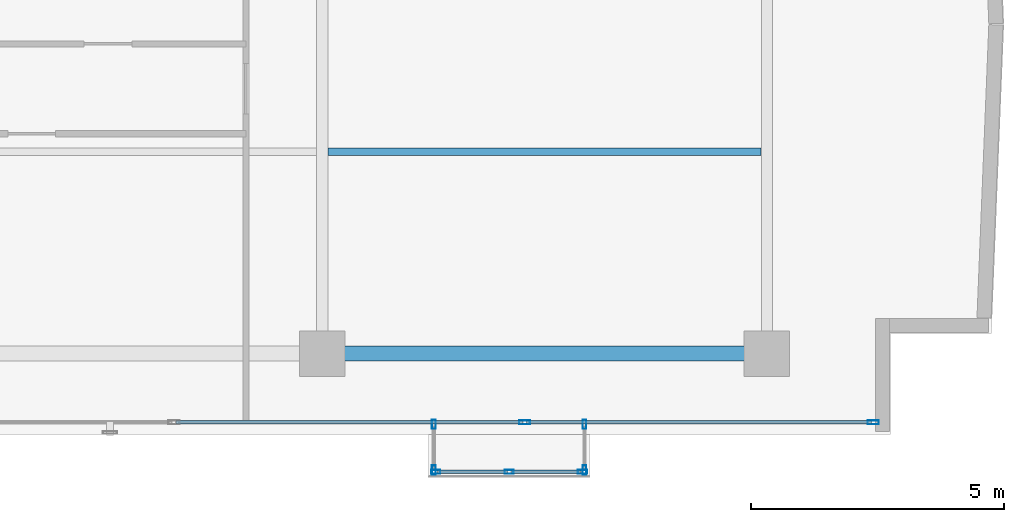
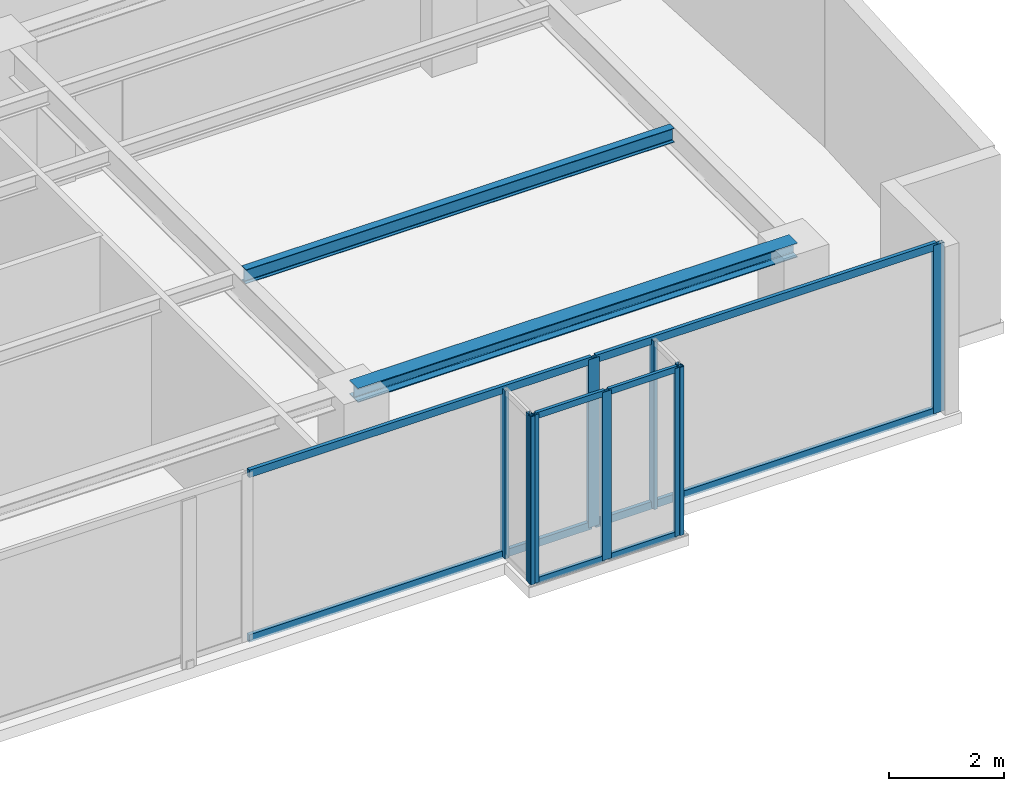
# One storey, part 10 of 23: 17 members, 2 beams, 4 elements without a shape of their own.
"""IFC4 building model written with IfcOpenShell, lengths in metres."""

from ifc_helpers import new_model, si_unit, direction, frame, origin, origin_with_axes, origin_2d, place, context, subcontext, project, spatial, hollow_rectangle, i_section, extrude, source, transform, mapped, material, layer, layer_set, material_profile, profile_set, type_object, element, aggregate, save


model = new_model("IFC4")

# Units and contexts
model_context = context("Model", 3, precision=1e-05, world=origin(), true_north=direction((0.0, 1.0)))
body_context = subcontext(model_context, "Body", "Model", "MODEL_VIEW")
ifc_project = project(units=[si_unit("LENGTHUNIT", "METRE"), si_unit("AREAUNIT", "SQUARE_METRE"), si_unit("VOLUMEUNIT", "CUBIC_METRE"), si_unit("PLANEANGLEUNIT", "RADIAN"), si_unit("MASSUNIT", "GRAM", prefix="KILO")], contexts=[model_context])

# Site, building, storey
site_placement = place(None, origin())
site = spatial("IfcSite", under=ifc_project, at=site_placement, CompositionType="ELEMENT")
building_placement = place(site_placement, origin())
building = spatial("IfcBuilding", under=site, at=building_placement, Name="Kolvaren Waterfront Exchange", CompositionType="ELEMENT")
storey_placement = place(building_placement, frame((0.0, 0.0, 319.800048828125)))
storey = spatial("IfcBuildingStorey", under=building, at=storey_placement, Name="L82", CompositionType="ELEMENT", Elevation=319.800048828125)

# Beams
ifc_material_1 = material(Name="Steel S355", Category="steel")
ifc_material_profile_1 = material_profile(ifc_material_1, i_section(OverallWidth=0.300048828125, OverallDepth=0.300048828125, WebThickness=0.010986328125, FlangeThickness=0.01904296875, FilletRadius=0.027099609375, at=origin_2d()), Name="HEB300")
ifc_profile_set_1 = profile_set([ifc_material_profile_1], Name="Steel S355")
beam_type_1 = type_object("IfcBeamType", Name="STR-BM-HEB300", PredefinedType="SPANDREL", material=ifc_profile_set_1)
beam_1_placement = place(storey_placement, frame((36.800048828125, 5.199951171875, 3.409912109375), z_axis=(1.0, 0.0, 0.0), x_axis=(0.0, 1.0, 0.0)))
element("IfcBeam", 1, at=beam_1_placement, inside=storey, type_object=beam_type_1, Name="L82 east-arm spandrel S3", PredefinedType="SPANDREL", context=body_context, shape_type="SweptSolid", body=[
    extrude(i_section(OverallWidth=0.300048828125, OverallDepth=0.300048828125, WebThickness=0.010986328125, FlangeThickness=0.01904296875, FilletRadius=0.027099609375, at=origin_2d()), origin(), (0.0, 0.0, 1.0), 8.800048828125),
])
ifc_material_profile_2 = material_profile(ifc_material_1, i_section(OverallWidth=0.14990234375, OverallDepth=0.300048828125, WebThickness=0.007080078125, FlangeThickness=0.0107421875, FilletRadius=0.014892578125, at=origin_2d()), Name="IPE300")
ifc_profile_set_2 = profile_set([ifc_material_profile_2], Name="Steel S355")
beam_type_2 = type_object("IfcBeamType", Name="STR-BM-IPE300", PredefinedType="JOIST", material=ifc_profile_set_2)
beam_2_placement = place(storey_placement, frame((36.912109375, 9.199951171875, 3.409912109375), z_axis=(1.0, 0.0, 0.0), x_axis=(0.0, 1.0, 0.0)))
element("IfcBeam", 2, at=beam_2_placement, inside=storey, type_object=beam_type_2, Name="L82 east-arm composite joist 3B", PredefinedType="JOIST", context=body_context, shape_type="SweptSolid", body=[
    extrude(i_section(OverallWidth=0.14990234375, OverallDepth=0.300048828125, WebThickness=0.007080078125, FlangeThickness=0.0107421875, FilletRadius=0.014892578125, at=origin_2d()), origin(), (0.0, 0.0, 1.0), 8.575927734375),
])

# Curtain wall, members
ifc_material_2 = material(Name="Anodised bronze aluminium 6063-T6", Category="aluminium")
ifc_layer_1 = layer(ifc_material_2, 0.219970703125, Name="Anodised bronze aluminium 6063-T6")
ifc_layer_set_1 = layer_set([ifc_layer_1], Name="Anodised bronze aluminium 6063-T6")
curtain_wall_type_1 = type_object("IfcCurtainWallType", Name="ARC-CW-SYS3", PredefinedType="USERDEFINED", material=ifc_layer_set_1)
curtain_wall_1_placement = place(storey_placement, origin())
curtain_wall_1 = element("IfcCurtainWall", 3, at=curtain_wall_1_placement, inside=storey, type_object=curtain_wall_type_1, Name="L82 stick curtain wall CW3 (CW-L82-BOX)", ObjectType="STICK CURTAIN WALL", PredefinedType="USERDEFINED")
ifc_material_profile_3 = material_profile(ifc_material_2, hollow_rectangle(XDim=0.06494140625, YDim=0.1298828125, WallThickness=0.00390625, at=origin_2d()), Name="ALU-TRN-130x65x4")
ifc_profile_set_3 = profile_set([ifc_material_profile_3], Name="Anodised bronze aluminium 6063-T6")
member_type_1 = type_object("IfcMemberType", Name="ARC-CWT-130", PredefinedType="USERDEFINED", material=ifc_profile_set_3)
shared_shape_1 = source(origin_with_axes(), body_context, "Body", "SweptSolid", [
    extrude(hollow_rectangle(XDim=0.06494140625, YDim=0.1298828125, WallThickness=0.00390625, at=origin_2d()), origin(), (0.0, 0.0, 1.0), 1.37744140625),
])
member_1_placement = place(storey_placement, frame((39.0849609375, 2.860107421875, 0.032470703125), z_axis=(1.0, 0.0, 0.0), x_axis=(0.0, 1.0, 0.0)))
member_1 = element("IfcMember", 4, at=member_1_placement, type_object=member_type_1, Name="CW3 transom 1.1", ObjectType="TRANSOM", PredefinedType="USERDEFINED", context=body_context, shape_type="MappedRepresentation", body=[
    mapped(shared_shape_1, transform((0.0, 0.0, 0.0), x_axis=(1.0, 0.0, 0.0), y_axis=(0.0, 1.0, 0.0), z_axis=(0.0, 0.0, 1.0), scale=1.0)),
])
member_2_placement = place(storey_placement, frame((39.0849609375, 2.860107421875, 3.52734375), z_axis=(1.0, 0.0, 0.0), x_axis=(0.0, 1.0, 0.0)))
member_2 = element("IfcMember", 5, at=member_2_placement, type_object=member_type_1, Name="CW3 transom 1.2", ObjectType="TRANSOM", PredefinedType="USERDEFINED", context=body_context, shape_type="MappedRepresentation", body=[
    mapped(shared_shape_1, transform((0.0, 0.0, 0.0), x_axis=(1.0, 0.0, 0.0), y_axis=(0.0, 1.0, 0.0), z_axis=(0.0, 0.0, 1.0), scale=1.0)),
])
member_3_placement = place(storey_placement, frame((40.53759765625, 2.860107421875, 0.032470703125), z_axis=(1.0, 0.0, 0.0), x_axis=(0.0, 1.0, 0.0)))
member_3 = element("IfcMember", 6, at=member_3_placement, type_object=member_type_1, Name="CW3 transom 2.1", ObjectType="TRANSOM", PredefinedType="USERDEFINED", context=body_context, shape_type="MappedRepresentation", body=[
    mapped(shared_shape_1, transform((0.0, 0.0, 0.0), x_axis=(1.0, 0.0, 0.0), y_axis=(0.0, 1.0, 0.0), z_axis=(0.0, 0.0, 1.0), scale=1.0)),
])
member_4_placement = place(storey_placement, frame((40.53759765625, 2.860107421875, 3.52734375), z_axis=(1.0, 0.0, 0.0), x_axis=(0.0, 1.0, 0.0)))
member_4 = element("IfcMember", 7, at=member_4_placement, type_object=member_type_1, Name="CW3 transom 2.2", ObjectType="TRANSOM", PredefinedType="USERDEFINED", context=body_context, shape_type="MappedRepresentation", body=[
    mapped(shared_shape_1, transform((0.0, 0.0, 0.0), x_axis=(1.0, 0.0, 0.0), y_axis=(0.0, 1.0, 0.0), z_axis=(0.0, 0.0, 1.0), scale=1.0)),
])

curtain_wall_2_placement = place(storey_placement, origin())
curtain_wall_2 = element("IfcCurtainWall", 8, at=curtain_wall_2_placement, inside=storey, type_object=curtain_wall_type_1, Name="L82 stick curtain wall CW3 (CW-L82-BOX-W)", ObjectType="STICK CURTAIN WALL", PredefinedType="USERDEFINED")
ifc_material_profile_4 = material_profile(ifc_material_2, hollow_rectangle(XDim=0.074951171875, YDim=0.179931640625, WallThickness=0.00439453125, at=origin_2d()), Name="ALU-MUL-180x75x4.5")
ifc_profile_set_4 = profile_set([ifc_material_profile_4], Name="Anodised bronze aluminium 6063-T6")
member_type_2 = type_object("IfcMemberType", Name="ARC-CWM-180", PredefinedType="MULLION", material=ifc_profile_set_4)
shared_shape_2 = source(origin_with_axes(), body_context, "Body", "SweptSolid", [
    extrude(hollow_rectangle(XDim=0.074951171875, YDim=0.179931640625, WallThickness=0.00439453125, at=origin_2d()), origin(), (0.0, 0.0, 1.0), 3.56005859375),
])
member_5_placement = place(storey_placement, frame((39.010009765625, 3.802490234375, 0.0), z_axis=(0.0, 0.0, 1.0), x_axis=(1.0, 0.0, 0.0)))
member_5 = element("IfcMember", 9, at=member_5_placement, type_object=member_type_2, Name="CW3 mullion 1", PredefinedType="MULLION", context=body_context, shape_type="MappedRepresentation", body=[
    mapped(shared_shape_2, transform((0.0, 0.0, 0.0), x_axis=(1.0, 0.0, 0.0), y_axis=(0.0, 1.0, 0.0), z_axis=(0.0, 0.0, 1.0), scale=1.0)),
])
member_6_placement = place(storey_placement, frame((39.010009765625, 2.8974609375, 0.0), z_axis=(0.0, 0.0, 1.0), x_axis=(1.0, 0.0, 0.0)))
member_6 = element("IfcMember", 10, at=member_6_placement, type_object=member_type_2, Name="CW3 mullion 2", PredefinedType="MULLION", context=body_context, shape_type="MappedRepresentation", body=[
    mapped(shared_shape_2, transform((0.0, 0.0, 0.0), x_axis=(1.0, 0.0, 0.0), y_axis=(0.0, 1.0, 0.0), z_axis=(0.0, 0.0, 1.0), scale=1.0)),
])
aggregate(curtain_wall_2, [member_5, member_6])

# Member
member_7_placement = place(storey_placement, frame((39.047607421875, 2.860107421875, 0.0), z_axis=(0.0, 0.0, 1.0), x_axis=(0.0, 1.0, 0.0)))
member_7 = element("IfcMember", 11, at=member_7_placement, type_object=member_type_2, Name="CW3 mullion 1", PredefinedType="MULLION", context=body_context, shape_type="MappedRepresentation", body=[
    mapped(shared_shape_2, transform((0.0, 0.0, 0.0), x_axis=(1.0, 0.0, 0.0), y_axis=(0.0, 1.0, 0.0), z_axis=(0.0, 0.0, 1.0), scale=1.0)),
])

member_8_placement = place(storey_placement, frame((40.5, 2.860107421875, 0.0), z_axis=(0.0, 0.0, 1.0), x_axis=(0.0, 1.0, 0.0)))
member_8 = element("IfcMember", 12, at=member_8_placement, type_object=member_type_2, Name="CW3 mullion 2", PredefinedType="MULLION", context=body_context, shape_type="MappedRepresentation", body=[
    mapped(shared_shape_2, transform((0.0, 0.0, 0.0), x_axis=(1.0, 0.0, 0.0), y_axis=(0.0, 1.0, 0.0), z_axis=(0.0, 0.0, 1.0), scale=1.0)),
])

member_9_placement = place(storey_placement, frame((41.952392578125, 2.860107421875, 0.0), z_axis=(0.0, 0.0, 1.0), x_axis=(0.0, 1.0, 0.0)))
member_9 = element("IfcMember", 13, at=member_9_placement, type_object=member_type_2, Name="CW3 mullion 3", PredefinedType="MULLION", context=body_context, shape_type="MappedRepresentation", body=[
    mapped(shared_shape_2, transform((0.0, 0.0, 0.0), x_axis=(1.0, 0.0, 0.0), y_axis=(0.0, 1.0, 0.0), z_axis=(0.0, 0.0, 1.0), scale=1.0)),
])

aggregate(curtain_wall_1, [member_7, member_8, member_9, member_1, member_2, member_3, member_4])

# Curtain wall, members
curtain_wall_3_placement = place(storey_placement, origin())
curtain_wall_3 = element("IfcCurtainWall", 14, at=curtain_wall_3_placement, inside=storey, type_object=curtain_wall_type_1, Name="L82 stick curtain wall CW3 (CW-L82-BOX-E)", ObjectType="STICK CURTAIN WALL", PredefinedType="USERDEFINED")
member_10_placement = place(storey_placement, frame((41.989990234375, 2.8974609375, 0.0), z_axis=(0.0, 0.0, 1.0), x_axis=(-1.0, 0.0, 0.0)))
member_10 = element("IfcMember", 15, at=member_10_placement, type_object=member_type_2, Name="CW3 mullion 1", PredefinedType="MULLION", context=body_context, shape_type="MappedRepresentation", body=[
    mapped(shared_shape_2, transform((0.0, 0.0, 0.0), x_axis=(1.0, 0.0, 0.0), y_axis=(0.0, 1.0, 0.0), z_axis=(0.0, 0.0, 1.0), scale=1.0)),
])
member_11_placement = place(storey_placement, frame((41.989990234375, 3.802490234375, 0.0), z_axis=(0.0, 0.0, 1.0), x_axis=(-1.0, 0.0, 0.0)))
member_11 = element("IfcMember", 16, at=member_11_placement, type_object=member_type_2, Name="CW3 mullion 2", PredefinedType="MULLION", context=body_context, shape_type="MappedRepresentation", body=[
    mapped(shared_shape_2, transform((0.0, 0.0, 0.0), x_axis=(1.0, 0.0, 0.0), y_axis=(0.0, 1.0, 0.0), z_axis=(0.0, 0.0, 1.0), scale=1.0)),
])
aggregate(curtain_wall_3, [member_10, member_11])

ifc_layer_2 = layer(ifc_material_2, 0.219970703125, Name="Anodised bronze aluminium 6063-T6")
ifc_layer_set_2 = layer_set([ifc_layer_2], Name="Anodised bronze aluminium 6063-T6")
curtain_wall_type_2 = type_object("IfcCurtainWallType", Name="ARC-CW-SYS1", PredefinedType="USERDEFINED", material=ifc_layer_set_2)
curtain_wall_4_placement = place(storey_placement, origin())
curtain_wall_4 = element("IfcCurtainWall", 17, at=curtain_wall_4_placement, inside=storey, type_object=curtain_wall_type_2, Name="L82 stick curtain wall CW1 (CW-L82-S)", ObjectType="STICK CURTAIN WALL", PredefinedType="USERDEFINED")
ifc_material_3 = material(Name="Anodised aluminium 6063-T6", Category="aluminium")
ifc_material_profile_5 = material_profile(ifc_material_3, hollow_rectangle(XDim=0.080078125, YDim=0.219970703125, WallThickness=0.0048828125, at=origin_2d()), Name="ALU-MUL-220x80x5")
ifc_profile_set_5 = profile_set([ifc_material_profile_5], Name="Anodised aluminium 6063-T6")
member_type_3 = type_object("IfcMemberType", Name="ARC-CWM-220", PredefinedType="MULLION", material=ifc_profile_set_5)
shared_shape_3 = source(origin_with_axes(), body_context, "Body", "SweptSolid", [
    extrude(hollow_rectangle(XDim=0.080078125, YDim=0.219970703125, WallThickness=0.0048828125, at=origin_2d()), origin(), (0.0, 0.0, 1.0), 3.56005859375),
])
member_12_placement = place(storey_placement, frame((40.80615234375, 3.840087890625, 0.0), z_axis=(0.0, 0.0, 1.0), x_axis=(0.0, 1.0, 0.0)))
member_12 = element("IfcMember", 18, at=member_12_placement, type_object=member_type_3, Name="CW1 mullion 6", PredefinedType="MULLION", context=body_context, shape_type="MappedRepresentation", body=[
    mapped(shared_shape_3, transform((0.0, 0.0, 0.0), x_axis=(1.0, 0.0, 0.0), y_axis=(0.0, 1.0, 0.0), z_axis=(0.0, 0.0, 1.0), scale=1.0)),
])
member_13_placement = place(storey_placement, frame((47.70751953125, 3.840087890625, 0.0), z_axis=(0.0, 0.0, 1.0), x_axis=(0.0, 1.0, 0.0)))
member_13 = element("IfcMember", 19, at=member_13_placement, type_object=member_type_3, Name="CW1 mullion 7", PredefinedType="MULLION", context=body_context, shape_type="MappedRepresentation", body=[
    mapped(shared_shape_3, transform((0.0, 0.0, 0.0), x_axis=(1.0, 0.0, 0.0), y_axis=(0.0, 1.0, 0.0), z_axis=(0.0, 0.0, 1.0), scale=1.0)),
])
ifc_material_profile_6 = material_profile(ifc_material_3, hollow_rectangle(XDim=0.074951171875, YDim=0.159912109375, WallThickness=0.00439453125, at=origin_2d()), Name="ALU-TRN-160x75x4.5")
ifc_profile_set_6 = profile_set([ifc_material_profile_6], Name="Anodised aluminium 6063-T6")
member_type_4 = type_object("IfcMemberType", Name="ARC-CWT-160", PredefinedType="USERDEFINED", material=ifc_profile_set_6)
shared_shape_4 = source(origin_with_axes(), body_context, "Body", "SweptSolid", [
    extrude(hollow_rectangle(XDim=0.074951171875, YDim=0.159912109375, WallThickness=0.00439453125, at=origin_2d()), origin(), (0.0, 0.0, 1.0), 6.8212890625),
])
member_14_placement = place(storey_placement, frame((40.84619140625, 3.840087890625, 0.037353515625), z_axis=(1.0, 0.0, 0.0), x_axis=(0.0, 1.0, 0.0)))
member_14 = element("IfcMember", 20, at=member_14_placement, type_object=member_type_4, Name="CW1 transom 6.1", ObjectType="TRANSOM", PredefinedType="USERDEFINED", context=body_context, shape_type="MappedRepresentation", body=[
    mapped(shared_shape_4, transform((0.0, 0.0, 0.0), x_axis=(1.0, 0.0, 0.0), y_axis=(0.0, 1.0, 0.0), z_axis=(0.0, 0.0, 1.0), scale=1.0)),
])
member_15_placement = place(storey_placement, frame((40.84619140625, 3.840087890625, 3.5224609375), z_axis=(1.0, 0.0, 0.0), x_axis=(0.0, 1.0, 0.0)))
member_15 = element("IfcMember", 21, at=member_15_placement, type_object=member_type_4, Name="CW1 transom 6.2", ObjectType="TRANSOM", PredefinedType="USERDEFINED", context=body_context, shape_type="MappedRepresentation", body=[
    mapped(shared_shape_4, transform((0.0, 0.0, 0.0), x_axis=(1.0, 0.0, 0.0), y_axis=(0.0, 1.0, 0.0), z_axis=(0.0, 0.0, 1.0), scale=1.0)),
])
shared_shape_5 = source(origin_with_axes(), body_context, "Body", "SweptSolid", [
    extrude(hollow_rectangle(XDim=0.074951171875, YDim=0.159912109375, WallThickness=0.00439453125, at=origin_2d()), origin(), (0.0, 0.0, 1.0), 6.861083984375),
])
member_16_placement = place(storey_placement, frame((33.905029296875, 3.840087890625, 0.037353515625), z_axis=(1.0, 0.0, 0.0), x_axis=(0.0, 1.0, 0.0)))
member_16 = element("IfcMember", 22, at=member_16_placement, type_object=member_type_4, Name="CW1 transom 5.1", ObjectType="TRANSOM", PredefinedType="USERDEFINED", context=body_context, shape_type="MappedRepresentation", body=[
    mapped(shared_shape_5, transform((0.0, 0.0, 0.0), x_axis=(1.0, 0.0, 0.0), y_axis=(0.0, 1.0, 0.0), z_axis=(0.0, 0.0, 1.0), scale=1.0)),
])
member_17_placement = place(storey_placement, frame((33.905029296875, 3.840087890625, 3.5224609375), z_axis=(1.0, 0.0, 0.0), x_axis=(0.0, 1.0, 0.0)))
member_17 = element("IfcMember", 23, at=member_17_placement, type_object=member_type_4, Name="CW1 transom 5.2", ObjectType="TRANSOM", PredefinedType="USERDEFINED", context=body_context, shape_type="MappedRepresentation", body=[
    mapped(shared_shape_5, transform((0.0, 0.0, 0.0), x_axis=(1.0, 0.0, 0.0), y_axis=(0.0, 1.0, 0.0), z_axis=(0.0, 0.0, 1.0), scale=1.0)),
])
aggregate(curtain_wall_4, [member_12, member_13, member_16, member_17, member_14, member_15])

save(model, "model.ifc")
